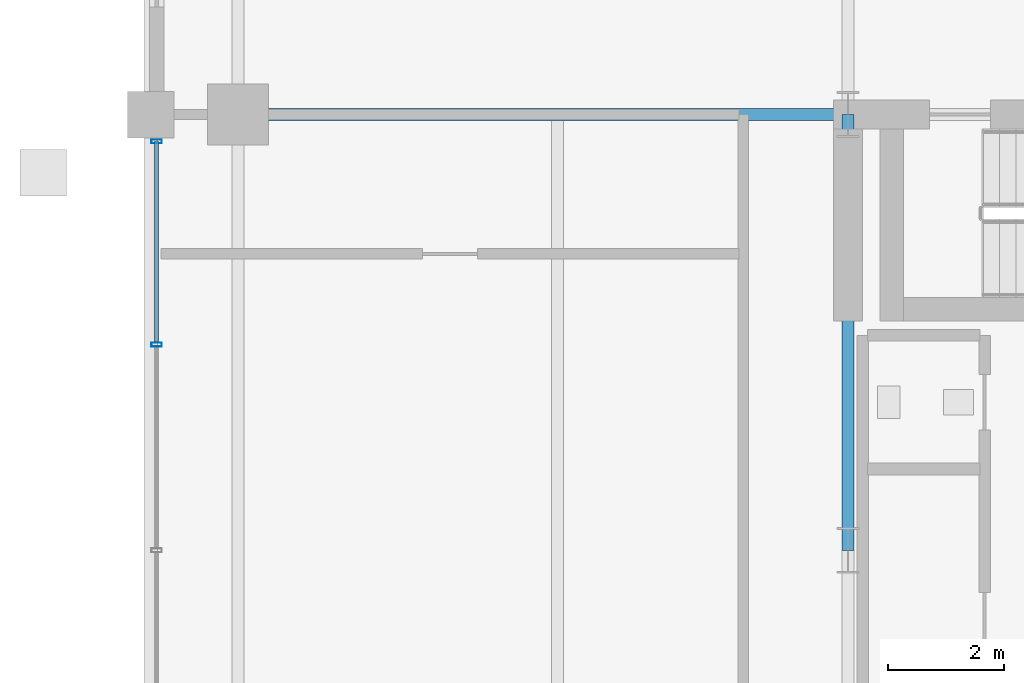
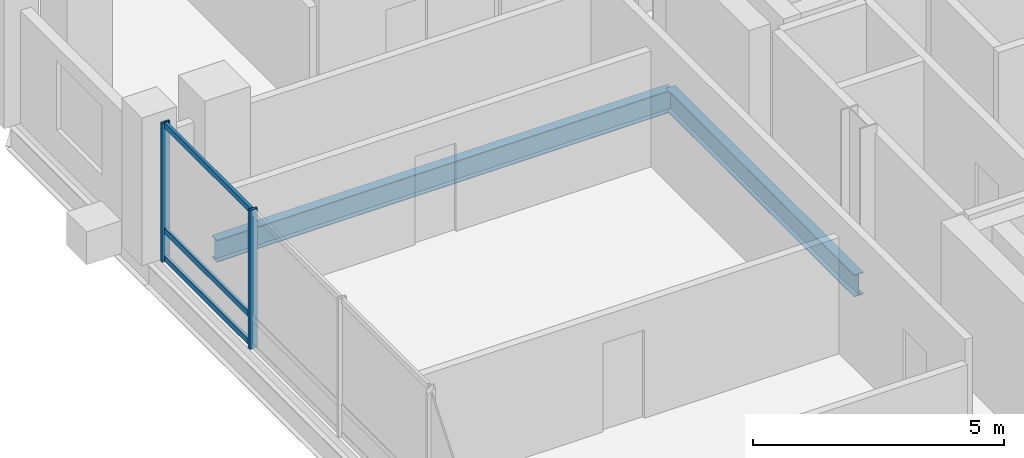
# One storey, part 8 of 24: 5 members, 2 beams, 1 element without a shape of its own.
"""IFC4 building model written with IfcOpenShell, lengths in metres."""

from ifc_helpers import new_model, si_unit, direction, frame, origin, origin_2d, place, context, subcontext, project, spatial, hollow_rectangle, i_section, extrude, material, layer, layer_set, material_profile, profile_set, type_object, element, aggregate, save


model = new_model("IFC4")

# Units and contexts
model_context = context("Model", 3, precision=1e-05, world=origin(), true_north=direction((0.0, 1.0)))
body_context = subcontext(model_context, "Body", "Model", "MODEL_VIEW")
ifc_project = project(units=[si_unit("LENGTHUNIT", "METRE"), si_unit("AREAUNIT", "SQUARE_METRE"), si_unit("VOLUMEUNIT", "CUBIC_METRE"), si_unit("PLANEANGLEUNIT", "RADIAN"), si_unit("MASSUNIT", "GRAM", prefix="KILO")], contexts=[model_context])

# Site, building, storey
site_placement = place(None, origin())
site = spatial("IfcSite", under=ifc_project, at=site_placement, CompositionType="ELEMENT")
building_placement = place(site_placement, origin())
building = spatial("IfcBuilding", under=site, at=building_placement, Name="Barlavira Tower and Art Museum", CompositionType="ELEMENT")
storey_placement = place(building_placement, frame((0.0, 0.0, 201.60009765625)))
storey = spatial("IfcBuildingStorey", under=building, at=storey_placement, Name="L52", CompositionType="ELEMENT", Elevation=201.60009765625)

# Curtain wall, members
ifc_material_1 = material(Name="Low-iron coastal laminated glass", Category="glass")
ifc_layer = layer(ifc_material_1, 0.199951171875, Name="Low-iron coastal laminated glass")
ifc_layer_set = layer_set([ifc_layer], Name="Low-iron coastal laminated glass")
curtain_wall_type = type_object("IfcCurtainWallType", Name="Pale-Metal Unitised Curtain Wall Zone 3", PredefinedType="NOTDEFINED", material=ifc_layer_set)
curtain_wall_placement = place(storey_placement, origin())
curtain_wall = element("IfcCurtainWall", 1, at=curtain_wall_placement, inside=storey, type_object=curtain_wall_type, Name="L52 Curtain Wall CW3-L52-W-B3", PredefinedType="NOTDEFINED")
ifc_material_2 = material(Name="Pale anodised aluminium", Category="aluminium")
ifc_material_profile_1 = material_profile(ifc_material_2, hollow_rectangle(XDim=0.06494140625, YDim=0.179931640625, WallThickness=0.00390625, at=origin_2d()), Name="ALU-MULL 65x180x4")
ifc_profile_set_1 = profile_set([ifc_material_profile_1], Name="Pale anodised aluminium")
member_type_1 = type_object("IfcMemberType", Name="Curtain Wall Pale-Metal Mullion 65x180", PredefinedType="MULLION", material=ifc_profile_set_1)
member_1_placement = place(storey_placement, frame((-18.39990234375, 7.034912109375, 0.0), z_axis=(0.0, 0.0, 1.0), x_axis=(0.0, -1.0, 0.0)))
member_1 = element("IfcMember", 2, at=member_1_placement, type_object=member_type_1, Name="CW3-L52-W-B3 Mullion 0", PredefinedType="MULLION", context=body_context, shape_type="SweptSolid", body=[
    extrude(hollow_rectangle(XDim=0.06494140625, YDim=0.179931640625, WallThickness=0.00390625, at=origin_2d()), origin(), (0.0, 0.0, 1.0), 3.3798828125),
])
member_2_placement = place(storey_placement, frame((-18.39990234375, 3.5400390625, 0.0), z_axis=(0.0, 0.0, 1.0), x_axis=(0.0, -1.0, 0.0)))
member_2 = element("IfcMember", 3, at=member_2_placement, type_object=member_type_1, Name="CW3-L52-W-B3 Mullion 1", PredefinedType="MULLION", context=body_context, shape_type="SweptSolid", body=[
    extrude(hollow_rectangle(XDim=0.06494140625, YDim=0.179931640625, WallThickness=0.00390625, at=origin_2d()), origin(), (0.0, 0.0, 1.0), 3.3798828125),
])
ifc_material_profile_2 = material_profile(ifc_material_2, hollow_rectangle(XDim=0.06494140625, YDim=0.139892578125, WallThickness=0.00390625, at=origin_2d()), Name="ALU-TRAN 65x140x4")
ifc_profile_set_2 = profile_set([ifc_material_profile_2], Name="Pale anodised aluminium")
member_type_2 = type_object("IfcMemberType", Name="Curtain Wall Pale-Metal Transom 65x140", PredefinedType="USERDEFINED", material=ifc_profile_set_2)
member_3_placement = place(storey_placement, frame((-18.39990234375, 7.034912109375, 0.06982421875), z_axis=(0.0, -1.0, 0.0), x_axis=(1.0, 0.0, 0.0)))
member_3 = element("IfcMember", 4, at=member_3_placement, type_object=member_type_2, Name="CW3-L52-W-B3 Transom 0.1", ObjectType="TRANSOM", PredefinedType="USERDEFINED", context=body_context, shape_type="SweptSolid", body=[
    extrude(hollow_rectangle(XDim=0.06494140625, YDim=0.139892578125, WallThickness=0.00390625, at=origin_2d()), origin(), (0.0, 0.0, 1.0), 3.449951171875),
])
member_4_placement = place(storey_placement, frame((-18.39990234375, 7.034912109375, 0.743896484375), z_axis=(0.0, -1.0, 0.0), x_axis=(1.0, 0.0, 0.0)))
member_4 = element("IfcMember", 5, at=member_4_placement, type_object=member_type_2, Name="CW3-L52-W-B3 Transom 0.2", ObjectType="TRANSOM", PredefinedType="USERDEFINED", context=body_context, shape_type="SweptSolid", body=[
    extrude(hollow_rectangle(XDim=0.06494140625, YDim=0.139892578125, WallThickness=0.00390625, at=origin_2d()), origin(), (0.0, 0.0, 1.0), 3.449951171875),
])
member_5_placement = place(storey_placement, frame((-18.39990234375, 7.034912109375, 3.309814453125), z_axis=(0.0, -1.0, 0.0), x_axis=(1.0, 0.0, 0.0)))
member_5 = element("IfcMember", 6, at=member_5_placement, type_object=member_type_2, Name="CW3-L52-W-B3 Transom 0.3", ObjectType="TRANSOM", PredefinedType="USERDEFINED", context=body_context, shape_type="SweptSolid", body=[
    extrude(hollow_rectangle(XDim=0.06494140625, YDim=0.139892578125, WallThickness=0.00390625, at=origin_2d()), origin(), (0.0, 0.0, 1.0), 3.449951171875),
])
aggregate(curtain_wall, [member_1, member_2, member_3, member_4, member_5])

# Beams
ifc_material_3 = material(Name="Steel S355", Category="steel")
ifc_material_profile_3 = material_profile(ifc_material_3, i_section(OverallWidth=0.2109375, OverallDepth=0.5390625, WebThickness=0.01171875, FlangeThickness=0.018798828125, at=origin_2d()), Name="W530x109.0")
ifc_profile_set_3 = profile_set([ifc_material_profile_3], Name="Steel S355")
beam_type = type_object("IfcBeamType", Name="Zone 3-4 Primary Floor Girder W530x109 Steel S355", PredefinedType="BEAM", material=ifc_profile_set_3)
beam_1_placement = place(storey_placement, frame((-6.5, 0.0, -0.489501953125), z_axis=(0.0, 1.0, 0.0), x_axis=(-1.0, 0.0, 0.0)))
element("IfcBeam", 7, at=beam_1_placement, inside=storey, type_object=beam_type, Name="L52 Girder C-W2", PredefinedType="BEAM", context=body_context, shape_type="SweptSolid", body=[
    extrude(i_section(OverallWidth=0.2109375, OverallDepth=0.5390625, WebThickness=0.01171875, FlangeThickness=0.018798828125, at=origin_2d()), origin(), (0.0, 0.0, 1.0), 7.5),
])
beam_2_placement = place(storey_placement, frame((-17.0, 7.5, -0.489501953125), z_axis=(1.0, 0.0, 0.0), x_axis=(0.0, 1.0, 0.0)))
element("IfcBeam", 8, at=beam_2_placement, inside=storey, type_object=beam_type, Name="L52 Girder R-W2", PredefinedType="BEAM", context=body_context, shape_type="SweptSolid", body=[
    extrude(i_section(OverallWidth=0.2109375, OverallDepth=0.5390625, WebThickness=0.01171875, FlangeThickness=0.018798828125, at=origin_2d()), origin(), (0.0, 0.0, 1.0), 10.5),
])

save(model, "model.ifc")
